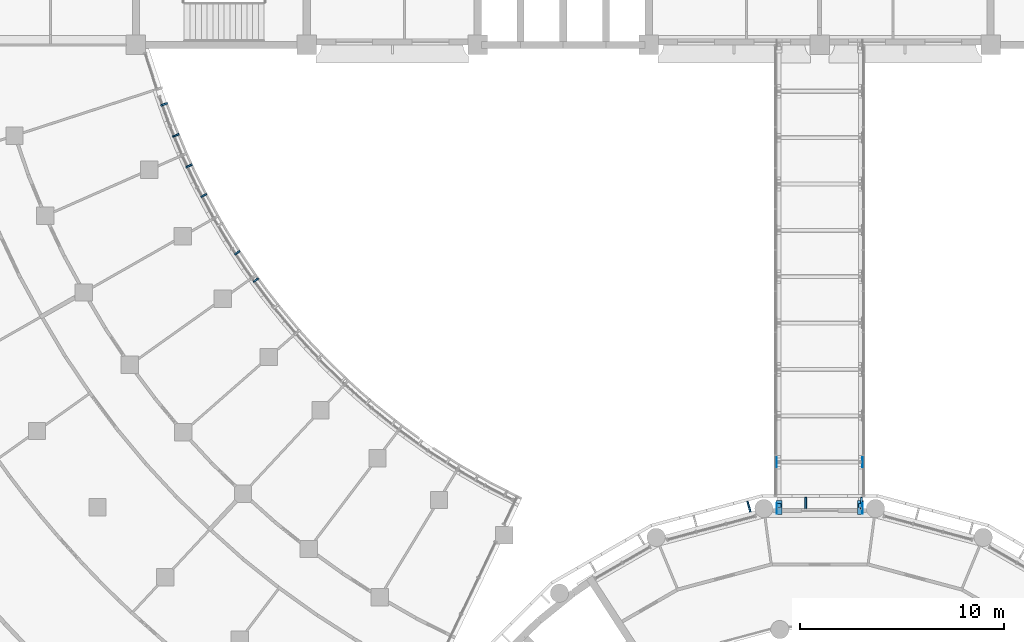
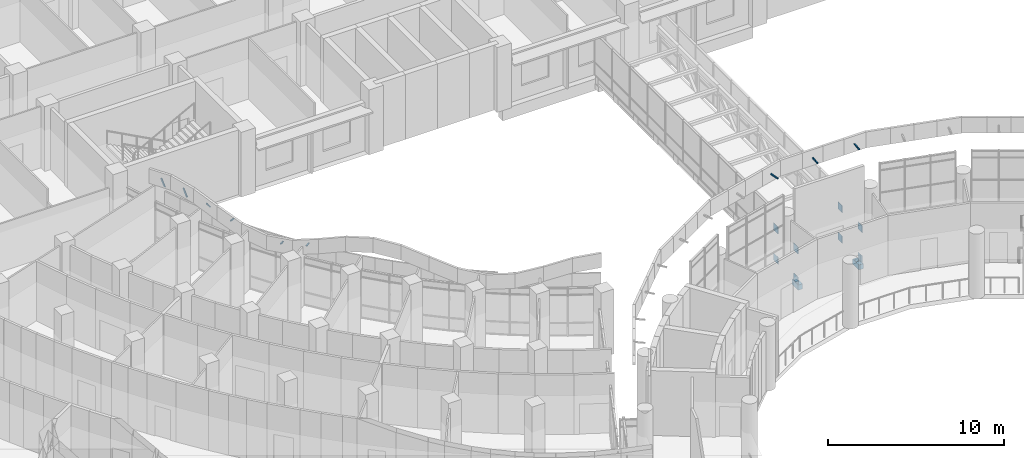
# One storey, part 105 of 136: 21 discrete accessories.
"""IFC4 building model written with IfcOpenShell, lengths in metres."""

from ifc_helpers import new_model, si_unit, direction, frame, origin, origin_2d, place, context, subcontext, project, spatial, rectangle, extrude, material, layer, layer_set, material_profile, profile_set, type_object, element, save


model = new_model("IFC4")

# Units and contexts
model_context = context("Model", 3, precision=1e-05, world=origin(), true_north=direction((0.0, 1.0)))
body_context = subcontext(model_context, "Body", "Model", "MODEL_VIEW")
ifc_project = project(units=[si_unit("LENGTHUNIT", "METRE"), si_unit("AREAUNIT", "SQUARE_METRE"), si_unit("VOLUMEUNIT", "CUBIC_METRE"), si_unit("PLANEANGLEUNIT", "RADIAN"), si_unit("MASSUNIT", "GRAM", prefix="KILO")], contexts=[model_context])

# Site, building, storey
site_placement = place(None, origin())
site = spatial("IfcSite", under=ifc_project, at=site_placement, CompositionType="ELEMENT")
building_placement = place(site_placement, origin())
building = spatial("IfcBuilding", under=site, at=building_placement, Name="Bougainvillea Quay General Hospital", CompositionType="ELEMENT")
storey_placement = place(building_placement, frame((0.0, 0.0, 5.39990234375)))
storey = spatial("IfcBuildingStorey", under=building, at=storey_placement, Name="L01", CompositionType="ELEMENT", Elevation=5.39990234375)

# Discrete accessories
ifc_material_1 = material(Name="Steel-reinforced elastomeric bearing pad", Category="concrete")
ifc_layer_1 = layer(ifc_material_1, 0.02001953125)
ifc_layer_set_1 = layer_set([ifc_layer_1], Name="Steel-reinforced elastomeric bearing pad")
discrete_accessory_type_1 = type_object("IfcDiscreteAccessoryType", Name="FIXED BEARING PAD 200x200x20", PredefinedType="SHOE", material=ifc_layer_set_1)
for number, where, z_axis, x_axis, name in (
    (1, (107.199951171875, 94.969970703125, -0.639892578125), (0.0, 0.0, 1.0), (0.0, 1.0, 0.0), "Bridge bearing pad"),
    (2, (111.199951171875, 94.969970703125, -0.639892578125), (0.0, 0.0, 1.0), (0.0, 1.0, 0.0), "Bridge bearing pad"),
):
    element("IfcDiscreteAccessory", number, at=place(storey_placement, frame(where, z_axis=z_axis, x_axis=x_axis)), inside=storey, type_object=discrete_accessory_type_1, Name=name, PredefinedType="SHOE", context=body_context, shape_type="SweptSolid", body=[
        extrude(rectangle(XDim=0.199951171875, YDim=0.199951171875, at=origin_2d()), origin(), (0.0, 0.0, 1.0), 0.02001953125),
    ])
ifc_material_2 = material(Name="Steel Q355", Category="steel")
ifc_layer_2 = layer(ifc_material_2, 0.011962890625)
ifc_layer_set_2 = layer_set([ifc_layer_2], Name="Steel Q355")
discrete_accessory_type_2 = type_object("IfcDiscreteAccessoryType", Name="GUSSET PLATE 500x500x12", PredefinedType="BRACKET", material=ifc_layer_set_2)
for number, where, z_axis, x_axis, name in (
    (3, (107.093994140625, 94.820068359375, -0.619873046875), (0.0, 0.0, 1.0), (0.0, 1.0, 0.0), "Gusset plate"),
    (4, (107.093994140625, 97.097900390625, -0.619873046875), (0.0, 0.0, 1.0), (0.0, 1.0, 0.0), "Gusset plate"),
    (5, (107.093994140625, 94.820068359375, 1.47998046875), (0.0, 0.0, 1.0), (0.0, 1.0, 0.0), "Gusset plate"),
    (6, (107.093994140625, 97.097900390625, 1.47998046875), (0.0, 0.0, 1.0), (0.0, 1.0, 0.0), "Gusset plate"),
    (7, (111.305908203125, 94.820068359375, -0.619873046875), (0.0, 0.0, 1.0), (0.0, 1.0, 0.0), "Gusset plate"),
    (8, (111.305908203125, 97.097900390625, -0.619873046875), (0.0, 0.0, 1.0), (0.0, 1.0, 0.0), "Gusset plate"),
    (9, (111.305908203125, 94.820068359375, 1.47998046875), (0.0, 0.0, 1.0), (0.0, 1.0, 0.0), "Gusset plate"),
    (10, (111.305908203125, 97.097900390625, 1.47998046875), (0.0, 0.0, 1.0), (0.0, 1.0, 0.0), "Gusset plate"),
):
    element("IfcDiscreteAccessory", number, at=place(storey_placement, frame(where, z_axis=z_axis, x_axis=x_axis)), inside=storey, type_object=discrete_accessory_type_2, Name=name, PredefinedType="BRACKET", context=body_context, shape_type="SweptSolid", body=[
        extrude(rectangle(XDim=0.5, YDim=0.011962890625, at=origin_2d()), origin(), (0.0, 0.0, 1.0), 0.5),
    ])
ifc_material_3 = material(Name="Concrete C40", Category="concrete")
discrete_accessory_type_3 = type_object("IfcDiscreteAccessoryType", Name="RC SEAT CORBEL 400x300x350", PredefinedType="BRACKET", material=ifc_material_3)
for number, where, z_axis, x_axis, name in (
    (11, (107.199951171875, 94.8701171875, -0.989990234375), (0.0, 0.0, 1.0), (0.0, 1.0, 0.0), "Bridge seat corbel"),
    (12, (111.199951171875, 94.8701171875, -0.989990234375), (0.0, 0.0, 1.0), (0.0, 1.0, 0.0), "Bridge seat corbel"),
):
    element("IfcDiscreteAccessory", number, at=place(storey_placement, frame(where, z_axis=z_axis, x_axis=x_axis)), inside=storey, type_object=discrete_accessory_type_3, Name=name, PredefinedType="BRACKET", context=body_context, shape_type="SweptSolid", body=[
        extrude(rectangle(XDim=0.699951171875, YDim=0.300048828125, at=origin_2d()), origin(), (0.0, 0.0, 1.0), 0.35009765625),
    ])
ifc_material_4 = material(Name="Stainless steel bracket, grade 316", Category="steel")
ifc_material_profile = material_profile(ifc_material_4, rectangle(XDim=0.080078125, YDim=0.050048828125, at=origin_2d()))
ifc_profile_set = profile_set([ifc_material_profile], Name="Stainless steel bracket, grade 316")
discrete_accessory_type_4 = type_object("IfcDiscreteAccessoryType", Name="Stainless steel stand-off bracket 80x50", PredefinedType="BRACKET", material=ifc_profile_set)
for number, where, z_axis, x_axis, name in (
    (13, (81.624755859375, 106.126708984375, 4.16357421875), (-0.81147258578, -0.584390488054, 0.0), (0.584390488054, -0.81147258578, 0.0), "Fascia bracket a11 11"),
    (14, (80.707763671875, 107.46533203125, 3.79736328125), (-0.838257628123, -0.545274379459, 0.0), (0.545274379459, -0.838257628123, 0.0), "Fascia bracket a11 12"),
    (15, (79.070556640625, 110.26611328125, 4.262939453125), (-0.886308963089, -0.463094398528, 0.0), (0.463094398528, -0.886308963089, 0.0), "Fascia bracket a11 14"),
):
    element("IfcDiscreteAccessory", number, at=place(storey_placement, frame(where, z_axis=z_axis, x_axis=x_axis)), inside=storey, type_object=discrete_accessory_type_4, Name=name, PredefinedType="BRACKET", context=body_context, shape_type="SweptSolid", body=[
        extrude(rectangle(XDim=0.080078125, YDim=0.050048828125, at=origin_2d()), origin(), (0.0, 0.0, 1.0), 0.300048828125),
    ])
discrete_accessory_1_placement = place(storey_placement, frame((78.35400390625, 111.7216796875, 4.440185546875), z_axis=(-0.557750346652, -0.258115855491, 0.788854077731), x_axis=(0.419987027507, -0.907530107889, 0.0)))
element("IfcDiscreteAccessory", 16, at=discrete_accessory_1_placement, inside=storey, type_object=discrete_accessory_type_4, Name="Fascia bracket a11 15", PredefinedType="BRACKET", context=body_context, shape_type="SweptSolid", body=[
    extrude(rectangle(XDim=0.080078125, YDim=0.050048828125, at=origin_2d()), origin(), (0.0, 0.0, 1.0), 0.488037109375),
])
discrete_accessory_2_placement = place(storey_placement, frame((77.707763671875, 113.2099609375, 4.440185546875), z_axis=(-0.340621830557, -0.138284082352, 0.92997541963), x_axis=(0.376158643554, -0.926555273516, 0.0)))
element("IfcDiscreteAccessory", 17, at=discrete_accessory_2_placement, inside=storey, type_object=discrete_accessory_type_4, Name="Fascia bracket a11 16", PredefinedType="BRACKET", context=body_context, shape_type="SweptSolid", body=[
    extrude(rectangle(XDim=0.080078125, YDim=0.050048828125, at=origin_2d()), origin(), (0.0, 0.0, 1.0), 0.815673828125),
])
discrete_accessory_3_placement = place(storey_placement, frame((77.13330078125, 114.7275390625, 4.440185546875), z_axis=(-0.35914897263, -0.126430354472, 0.924676906236), x_axis=(0.332053730012, -0.943260473244, 0.0)))
element("IfcDiscreteAccessory", 18, at=discrete_accessory_3_placement, inside=storey, type_object=discrete_accessory_type_4, Name="Fascia bracket a11 17", PredefinedType="BRACKET", context=body_context, shape_type="SweptSolid", body=[
    extrude(rectangle(XDim=0.080078125, YDim=0.050048828125, at=origin_2d()), origin(), (0.0, 0.0, 1.0), 0.787841796875),
])
for number, where, z_axis, x_axis, name in (
    (19, (111.255859375, 94.820068359375, 7.14013671875), (0.0, 0.994091793559, 0.108542645901), (-1.0, 0.0, 0.0), "Fascia bracket e1 23"),
    (20, (108.5146484375, 94.820068359375, 7.14013671875), (0.0, 0.994091793559, 0.108542645901), (-1.0, 0.0, 0.0), "Fascia bracket e1 25"),
    (21, (105.797119140625, 94.642578125, 7.14013671875), (-0.257265896735, 0.96022399879, 0.108554735157), (-0.965932200741, -0.258795254151, 0.0), "Fascia bracket e1 27"),
):
    element("IfcDiscreteAccessory", number, at=place(storey_placement, frame(where, z_axis=z_axis, x_axis=x_axis)), inside=storey, type_object=discrete_accessory_type_4, Name=name, PredefinedType="BRACKET", context=body_context, shape_type="SweptSolid", body=[
        extrude(rectangle(XDim=0.080078125, YDim=0.050048828125, at=origin_2d()), origin(), (0.0, 0.0, 1.0), 0.55322265625),
    ])

save(model, "model.ifc")
